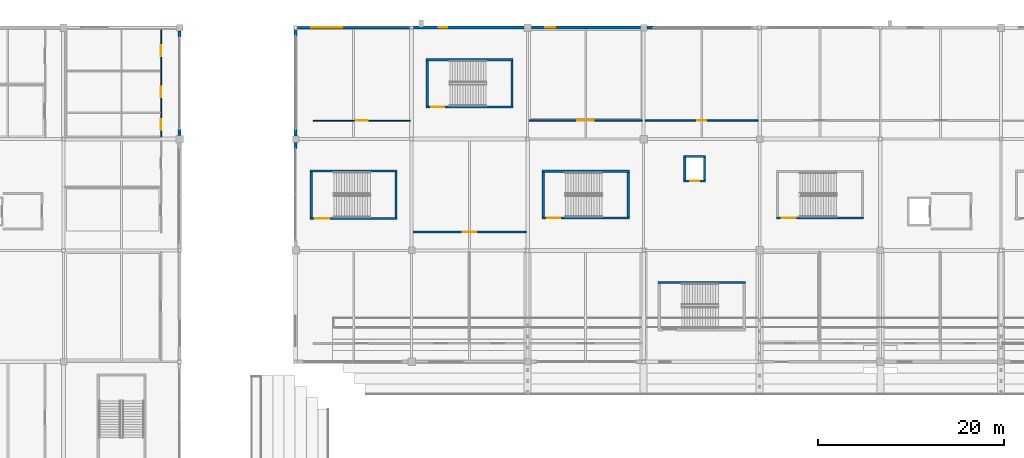
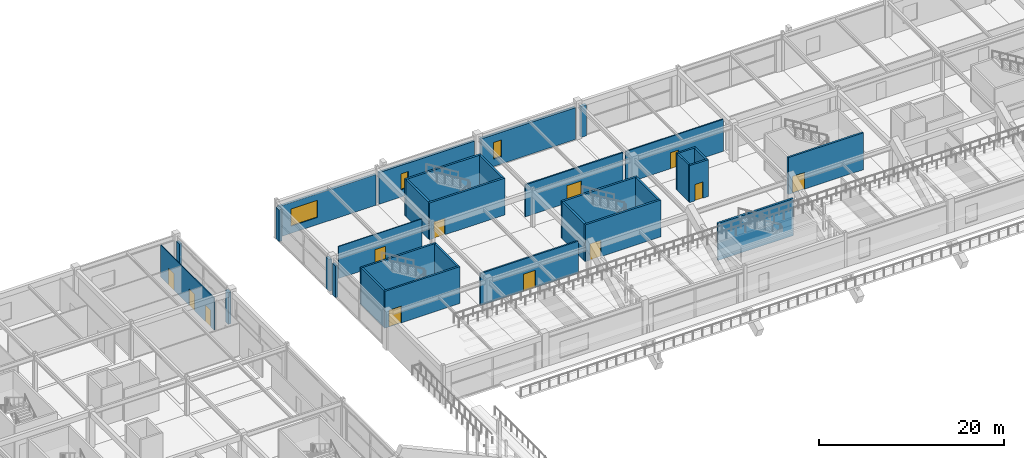
# One storey, part 97 of 128: 32 walls, 12 doors, 3 windows, 15 openings.
"""IFC4 building model written with IfcOpenShell, lengths in metres."""

from ifc_helpers import new_model, si_unit, direction, frame, frame_2d, origin, place, context, subcontext, project, spatial, rectangle, extrude, material, layer, layer_set, type_object, element, fill, save


model = new_model("IFC4")

# Units and contexts
model_context = context("Model", 3, precision=1e-05, world=origin(), true_north=direction((0.0, 1.0)))
body_context = subcontext(model_context, "Body", "Model", "MODEL_VIEW")
ifc_project = project(units=[si_unit("LENGTHUNIT", "METRE"), si_unit("AREAUNIT", "SQUARE_METRE"), si_unit("VOLUMEUNIT", "CUBIC_METRE"), si_unit("PLANEANGLEUNIT", "RADIAN"), si_unit("MASSUNIT", "GRAM", prefix="KILO")], contexts=[model_context])

# Site, building, storey
site_placement = place(None, origin())
site = spatial("IfcSite", under=ifc_project, at=site_placement, CompositionType="ELEMENT")
building_placement = place(site_placement, origin())
building = spatial("IfcBuilding", under=site, at=building_placement, Name="Kazenohara Klinker Stadium", CompositionType="ELEMENT")
storey_placement = place(building_placement, frame((0.0, 0.0, 15.300048828125)))
storey = spatial("IfcBuildingStorey", under=building, at=storey_placement, Name="L03", CompositionType="ELEMENT", Elevation=15.300048828125)

# Wall, opening, door
ifc_material_1 = material(Name="Concrete C40/50", Category="concrete")
ifc_layer_1 = layer(ifc_material_1, 0.22998046875)
ifc_layer_set_1 = layer_set([ifc_layer_1], Name="Concrete C40/50")
wall_type_1 = type_object("IfcWallType", Name="WAL-CORE-230", PredefinedType="SHEAR", material=ifc_layer_set_1)
wall_1_placement = place(storey_placement, frame((50.570068359375, 147.455078125, 0.0), z_axis=(0.0, 0.0, 1.0), x_axis=(1.0, 0.0, 0.0)))
wall_1 = element("IfcWall", 1, at=wall_1_placement, inside=storey, type_object=wall_type_1, Name="Stairwell shear wall ST08 L03 South", PredefinedType="SHEAR", context=body_context, shape_type="SweptSolid", body=[
    extrude(rectangle(XDim=9.35986328125, YDim=0.22998046875, at=frame_2d((4.679931640625, 0.0))), origin(), (0.0, 0.0, 1.0), 4.85986328125),
])
opening_1_placement = place(wall_1_placement, frame((0.550048828125, 0.0, 0.0)))
opening_1 = element("IfcOpeningElement", 2, at=opening_1_placement, cuts=wall_1, Name="Opening SD02", PredefinedType="OPENING", context=body_context, shape_type="SweptSolid", body=[
    extrude(rectangle(XDim=1.5, YDim=2.199951171875, at=frame_2d((0.75, 1.10009765625))), frame((0.0, 0.125, 0.0), z_axis=(0.0, -1.0, 0.0), x_axis=(1.0, 0.0, 0.0)), (0.0, 0.0, 1.0), 0.25),
])
ifc_material_2 = material(Name="Flush painted steel fire door leaf", Category="steel")
door_type_1 = type_object("IfcDoorType", Name="DR-STR-1500x2200", OperationType="NOTDEFINED", PredefinedType="DOOR", material=ifc_material_2)
door_1_placement = place(opening_1_placement, origin())
door_1 = element("IfcDoor", 3, at=door_1_placement, inside=storey, type_object=door_type_1, Name="Escape stairwell fire door ST08-L03", OperationType="SINGLE_SWING_RIGHT", OverallHeight=2.199951171875, OverallWidth=1.5, PredefinedType="DOOR", context=body_context, shape_type="SweptSolid", body=[
    extrude(rectangle(XDim=1.5, YDim=2.199951171875, at=frame_2d((0.75, 1.10009765625))), frame((0.0, 0.02490234375, 0.0), z_axis=(0.0, -1.0, 0.0), x_axis=(1.0, 0.0, 0.0)), (0.0, 0.0, 1.0), 0.050048828125),
])
fill(opening_1, door_1)

# Walls
wall_2_placement = place(storey_placement, frame((50.570068359375, 152.544921875, 0.0), z_axis=(0.0, 0.0, 1.0), x_axis=(1.0, 0.0, 0.0)))
element("IfcWall", 4, at=wall_2_placement, inside=storey, type_object=wall_type_1, Name="Stairwell shear wall ST08 L03 North", PredefinedType="SHEAR", context=body_context, shape_type="SweptSolid", body=[
    extrude(rectangle(XDim=9.35986328125, YDim=0.22998046875, at=frame_2d((4.679931640625, 0.0))), origin(), (0.0, 0.0, 1.0), 4.85986328125),
])
for number, where, z_axis, x_axis, name in (
    (5, (50.68505859375, 147.570068359375, 0.0), (0.0, 0.0, 1.0), (0.0, 1.0, 0.0), "Stairwell shear wall ST08 L03 West"),
    (6, (59.81494140625, 147.570068359375, 0.0), (0.0, 0.0, 1.0), (0.0, 1.0, 0.0), "Stairwell shear wall ST08 L03 East"),
):
    element("IfcWall", number, at=place(storey_placement, frame(where, z_axis=z_axis, x_axis=x_axis)), inside=storey, type_object=wall_type_1, Name=name, PredefinedType="SHEAR", context=body_context, shape_type="SweptSolid", body=[
        extrude(rectangle(XDim=4.85986328125, YDim=0.22998046875, at=frame_2d((2.429931640625, 0.0))), origin(), (0.0, 0.0, 1.0), 4.85986328125),
    ])

# Wall, opening, door
wall_3_placement = place(storey_placement, frame((100.820068359375, 147.485107421875, 0.0), z_axis=(0.0, 0.0, 1.0), x_axis=(1.0, 0.0, 0.0)))
wall_3 = element("IfcWall", 7, at=wall_3_placement, inside=storey, type_object=wall_type_1, Name="Stairwell shear wall ST10 L03 South", PredefinedType="SHEAR", context=body_context, shape_type="SweptSolid", body=[
    extrude(rectangle(XDim=9.35986328125, YDim=0.22998046875, at=frame_2d((4.679931640625, 0.0))), origin(), (0.0, 0.0, 1.0), 4.85986328125),
])
opening_2_placement = place(wall_3_placement, frame((0.550048828125, 0.0, 0.0)))
opening_2 = element("IfcOpeningElement", 8, at=opening_2_placement, cuts=wall_3, Name="Opening SD02", PredefinedType="OPENING", context=body_context, shape_type="SweptSolid", body=[
    extrude(rectangle(XDim=1.5, YDim=2.199951171875, at=frame_2d((0.75, 1.10009765625))), frame((0.0, 0.125, 0.0), z_axis=(0.0, -1.0, 0.0), x_axis=(1.0, 0.0, 0.0)), (0.0, 0.0, 1.0), 0.25),
])
door_2_placement = place(opening_2_placement, origin())
door_2 = element("IfcDoor", 9, at=door_2_placement, inside=storey, type_object=door_type_1, Name="Escape stairwell fire door ST10-L03", OperationType="SINGLE_SWING_RIGHT", OverallHeight=2.199951171875, OverallWidth=1.5, PredefinedType="DOOR", context=body_context, shape_type="SweptSolid", body=[
    extrude(rectangle(XDim=1.5, YDim=2.199951171875, at=frame_2d((0.75, 1.10009765625))), frame((0.0, 0.02490234375, 0.0), z_axis=(0.0, -1.0, 0.0), x_axis=(1.0, 0.0, 0.0)), (0.0, 0.0, 1.0), 0.050048828125),
])
fill(opening_2, door_2)

wall_4_placement = place(storey_placement, frame((90.820068359375, 151.485107421875, 0.0), z_axis=(0.0, 0.0, 1.0), x_axis=(1.0, 0.0, 0.0)))
wall_4 = element("IfcWall", 10, at=wall_4_placement, inside=storey, type_object=wall_type_1, Name="Elevator shaft wall LP04 L03 South", PredefinedType="SHEAR", context=body_context, shape_type="SweptSolid", body=[
    extrude(rectangle(XDim=2.35986328125, YDim=0.22998046875, at=frame_2d((1.179931640625, 0.0))), origin(), (0.0, 0.0, 1.0), 4.85986328125),
])
opening_3_placement = place(wall_4_placement, frame((0.679931640625, 0.0, 0.0)))
opening_3 = element("IfcOpeningElement", 11, at=opening_3_placement, cuts=wall_4, Name="Opening LD02", PredefinedType="OPENING", context=body_context, shape_type="SweptSolid", body=[
    extrude(rectangle(XDim=1.0, YDim=2.14990234375, at=frame_2d((0.5, 1.074951171875))), frame((0.0, 0.125, 0.0), z_axis=(0.0, -1.0, 0.0), x_axis=(1.0, 0.0, 0.0)), (0.0, 0.0, 1.0), 0.25),
])
ifc_material_3 = material(Name="Stainless steel sliding landing door", Category="steel")
door_type_2 = type_object("IfcDoorType", Name="DR-LD02-1000x2150", OperationType="NOTDEFINED", PredefinedType="DOOR", material=ifc_material_3)
door_3_placement = place(opening_3_placement, origin())
door_3 = element("IfcDoor", 12, at=door_3_placement, inside=storey, type_object=door_type_2, Name="Elevator sliding landing door LP04-L03", OperationType="DOUBLE_DOOR_SLIDING", OverallHeight=2.14990234375, OverallWidth=1.0, PredefinedType="DOOR", context=body_context, shape_type="SweptSolid", body=[
    extrude(rectangle(XDim=1.0, YDim=2.14990234375, at=frame_2d((0.5, 1.074951171875))), frame((0.0, 0.02490234375, 0.0), z_axis=(0.0, -1.0, 0.0), x_axis=(1.0, 0.0, 0.0)), (0.0, 0.0, 1.0), 0.050048828125),
])
fill(opening_3, door_3)

# Walls
wall_5_placement = place(storey_placement, frame((90.820068359375, 154.114990234375, 0.0), z_axis=(0.0, 0.0, 1.0), x_axis=(1.0, 0.0, 0.0)))
element("IfcWall", 13, at=wall_5_placement, inside=storey, type_object=wall_type_1, Name="Elevator shaft wall LP04 L03 North", PredefinedType="SHEAR", context=body_context, shape_type="SweptSolid", body=[
    extrude(rectangle(XDim=2.35986328125, YDim=0.22998046875, at=frame_2d((1.179931640625, 0.0))), origin(), (0.0, 0.0, 1.0), 4.85986328125),
])
for number, where, z_axis, x_axis, name in (
    (14, (90.93505859375, 151.60009765625, 0.0), (0.0, 0.0, 1.0), (0.0, 1.0, 0.0), "Elevator shaft wall LP04 L03 West"),
    (15, (93.06494140625, 151.60009765625, 0.0), (0.0, 0.0, 1.0), (0.0, 1.0, 0.0), "Elevator shaft wall LP04 L03 East"),
):
    element("IfcWall", number, at=place(storey_placement, frame(where, z_axis=z_axis, x_axis=x_axis)), inside=storey, type_object=wall_type_1, Name=name, PredefinedType="SHEAR", context=body_context, shape_type="SweptSolid", body=[
        extrude(rectangle(XDim=2.39990234375, YDim=0.22998046875, at=frame_2d((1.199951171875, 0.0))), origin(), (0.0, 0.0, 1.0), 4.85986328125),
    ])

# Wall, opening, door
ifc_layer_2 = layer(ifc_material_1, 0.25)
ifc_layer_set_2 = layer_set([ifc_layer_2], Name="Concrete C40/50")
wall_type_2 = type_object("IfcWallType", Name="WAL-CORE-250", PredefinedType="SHEAR", material=ifc_layer_set_2)
wall_6_placement = place(storey_placement, frame((75.550048828125, 147.485107421875, 0.0), z_axis=(0.0, 0.0, 1.0), x_axis=(1.0, 0.0, 0.0)))
wall_6 = element("IfcWall", 16, at=wall_6_placement, inside=storey, type_object=wall_type_2, Name="Stairwell shear wall ST09 L03 South", PredefinedType="SHEAR", context=body_context, shape_type="SweptSolid", body=[
    extrude(rectangle(XDim=9.39990234375, YDim=0.25, at=frame_2d((4.699951171875, 0.0))), origin(), (0.0, 0.0, 1.0), 4.85986328125),
])
opening_4_placement = place(wall_6_placement, frame((0.550048828125, 0.0, 0.0)))
opening_4 = element("IfcOpeningElement", 17, at=opening_4_placement, cuts=wall_6, Name="Opening SD01", PredefinedType="OPENING", context=body_context, shape_type="SweptSolid", body=[
    extrude(rectangle(XDim=1.39990234375, YDim=2.14990234375, at=frame_2d((0.699951171875, 1.074951171875))), frame((0.0, 0.135009765625, 0.0), z_axis=(0.0, -1.0, 0.0), x_axis=(1.0, 0.0, 0.0)), (0.0, 0.0, 1.0), 0.27001953125),
])
door_type_3 = type_object("IfcDoorType", Name="DR-STR-1400x2150", OperationType="NOTDEFINED", PredefinedType="DOOR", material=ifc_material_2)
door_4_placement = place(opening_4_placement, origin())
door_4 = element("IfcDoor", 18, at=door_4_placement, inside=storey, type_object=door_type_3, Name="Escape stairwell fire door ST09-L03", OperationType="SINGLE_SWING_LEFT", OverallHeight=2.14990234375, OverallWidth=1.39990234375, PredefinedType="DOOR", context=body_context, shape_type="SweptSolid", body=[
    extrude(rectangle(XDim=1.39990234375, YDim=2.14990234375, at=frame_2d((0.699951171875, 1.074951171875))), frame((0.0, 0.02490234375, 0.0), z_axis=(0.0, -1.0, 0.0), x_axis=(1.0, 0.0, 0.0)), (0.0, 0.0, 1.0), 0.050048828125),
])
fill(opening_4, door_4)

# Walls
wall_7_placement = place(storey_placement, frame((75.550048828125, 152.514892578125, 0.0), z_axis=(0.0, 0.0, 1.0), x_axis=(1.0, 0.0, 0.0)))
element("IfcWall", 19, at=wall_7_placement, inside=storey, type_object=wall_type_2, Name="Stairwell shear wall ST09 L03 North", PredefinedType="SHEAR", context=body_context, shape_type="SweptSolid", body=[
    extrude(rectangle(XDim=9.39990234375, YDim=0.25, at=frame_2d((4.699951171875, 0.0))), origin(), (0.0, 0.0, 1.0), 4.85986328125),
])
for number, where, z_axis, x_axis, name in (
    (20, (75.675048828125, 147.610107421875, 0.0), (0.0, 0.0, 1.0), (0.0, 1.0, 0.0), "Stairwell shear wall ST09 L03 West"),
    (21, (84.824951171875, 147.610107421875, 0.0), (0.0, 0.0, 1.0), (0.0, 1.0, 0.0), "Stairwell shear wall ST09 L03 East"),
):
    element("IfcWall", number, at=place(storey_placement, frame(where, z_axis=z_axis, x_axis=x_axis)), inside=storey, type_object=wall_type_2, Name=name, PredefinedType="SHEAR", context=body_context, shape_type="SweptSolid", body=[
        extrude(rectangle(XDim=4.77978515625, YDim=0.25, at=frame_2d((2.389892578125, 0.0))), origin(), (0.0, 0.0, 1.0), 4.85986328125),
    ])

# Wall, opening, door
wall_8_placement = place(storey_placement, frame((63.050048828125, 159.455078125, 0.0), z_axis=(0.0, 0.0, 1.0), x_axis=(1.0, 0.0, 0.0)))
wall_8 = element("IfcWall", 22, at=wall_8_placement, inside=storey, type_object=wall_type_2, Name="Stairwell shear wall ST15 L03 South", PredefinedType="SHEAR", context=body_context, shape_type="SweptSolid", body=[
    extrude(rectangle(XDim=9.39990234375, YDim=0.25, at=frame_2d((4.699951171875, 0.0))), origin(), (0.0, 0.0, 1.0), 4.85986328125),
])
opening_5_placement = place(wall_8_placement, frame((0.550048828125, 0.0, 0.0)))
opening_5 = element("IfcOpeningElement", 23, at=opening_5_placement, cuts=wall_8, Name="Opening SD01", PredefinedType="OPENING", context=body_context, shape_type="SweptSolid", body=[
    extrude(rectangle(XDim=1.39990234375, YDim=2.14990234375, at=frame_2d((0.699951171875, 1.074951171875))), frame((0.0, 0.135009765625, 0.0), z_axis=(0.0, -1.0, 0.0), x_axis=(1.0, 0.0, 0.0)), (0.0, 0.0, 1.0), 0.27001953125),
])
door_5_placement = place(opening_5_placement, origin())
door_5 = element("IfcDoor", 24, at=door_5_placement, inside=storey, type_object=door_type_3, Name="Escape stairwell fire door ST15-L03", OperationType="SINGLE_SWING_RIGHT", OverallHeight=2.14990234375, OverallWidth=1.39990234375, PredefinedType="DOOR", context=body_context, shape_type="SweptSolid", body=[
    extrude(rectangle(XDim=1.39990234375, YDim=2.14990234375, at=frame_2d((0.699951171875, 1.074951171875))), frame((0.0, 0.02490234375, 0.0), z_axis=(0.0, -1.0, 0.0), x_axis=(1.0, 0.0, 0.0)), (0.0, 0.0, 1.0), 0.050048828125),
])
fill(opening_5, door_5)

# Walls
wall_9_placement = place(storey_placement, frame((63.050048828125, 164.544921875, 0.0), z_axis=(0.0, 0.0, 1.0), x_axis=(1.0, 0.0, 0.0)))
element("IfcWall", 25, at=wall_9_placement, inside=storey, type_object=wall_type_2, Name="Stairwell shear wall ST15 L03 North", PredefinedType="SHEAR", context=body_context, shape_type="SweptSolid", body=[
    extrude(rectangle(XDim=9.39990234375, YDim=0.25, at=frame_2d((4.699951171875, 0.0))), origin(), (0.0, 0.0, 1.0), 4.85986328125),
])
for number, where, z_axis, x_axis, name in (
    (26, (63.175048828125, 159.580078125, 0.0), (0.0, 0.0, 1.0), (0.0, 1.0, 0.0), "Stairwell shear wall ST15 L03 West"),
    (27, (72.324951171875, 159.580078125, 0.0), (0.0, 0.0, 1.0), (0.0, 1.0, 0.0), "Stairwell shear wall ST15 L03 East"),
):
    element("IfcWall", number, at=place(storey_placement, frame(where, z_axis=z_axis, x_axis=x_axis)), inside=storey, type_object=wall_type_2, Name=name, PredefinedType="SHEAR", context=body_context, shape_type="SweptSolid", body=[
        extrude(rectangle(XDim=4.83984375, YDim=0.25, at=frame_2d((2.419921875, 0.0))), origin(), (0.0, 0.0, 1.0), 4.85986328125),
    ])
wall_10_placement = place(storey_placement, frame((88.050048828125, 140.544921875, 0.0), z_axis=(0.0, 0.0, 1.0), x_axis=(1.0, 0.0, 0.0)))
element("IfcWall", 28, at=wall_10_placement, inside=storey, type_object=wall_type_2, Name="Stairwell shear wall ST19 L03 North", PredefinedType="SHEAR", context=body_context, shape_type="SweptSolid", body=[
    extrude(rectangle(XDim=9.39990234375, YDim=0.25, at=frame_2d((4.699951171875, 0.0))), origin(), (0.0, 0.0, 1.0), 4.85986328125),
])

# Wall, opening, window
ifc_material_4 = material(Name="Clinker brick masonry", Category="masonry")
ifc_layer_3 = layer(ifc_material_4, 0.280029296875)
ifc_layer_set_3 = layer_set([ifc_layer_3], Name="Clinker brick masonry")
wall_type_3 = type_object("IfcWallType", Name="WAL-EXT-CB280", PredefinedType="SOLIDWALL", material=ifc_layer_set_3)
wall_11_placement = place(storey_placement, frame((49.2041015625, 168.0, 0.0), z_axis=(0.0, 0.0, 1.0), x_axis=(1.0, 0.0, 0.0)))
wall_11 = element("IfcWall", 29, at=wall_11_placement, inside=storey, type_object=wall_type_3, Name="Clinker brick cavity wall EW06 L03 X4-14", PredefinedType="SOLIDWALL", context=body_context, shape_type="SweptSolid", body=[
    extrude(rectangle(XDim=12.116943359375, YDim=0.280029296875, at=frame_2d((6.05859375, 0.0))), origin(), (0.0, 0.0, 1.0), 4.06005859375),
])
opening_6_placement = place(wall_11_placement, frame((1.5, 0.0, 0.949951171875)))
opening_6 = element("IfcOpeningElement", 30, at=opening_6_placement, cuts=wall_11, Name="Opening W34", PredefinedType="OPENING", context=body_context, shape_type="SweptSolid", body=[
    extrude(rectangle(XDim=3.300048828125, YDim=2.25, at=frame_2d((1.64990234375, 1.125))), frame((0.0, 0.14990234375, 0.0), z_axis=(0.0, -1.0, 0.0), x_axis=(1.0, 0.0, 0.0)), (0.0, 0.0, 1.0), 0.300048828125),
])
ifc_material_5 = material(Name="Dark bronze aluminium frame and triple glazing", Category="aluminium")
window_type_1 = type_object("IfcWindowType", Name="WIN-AS-34", PartitioningType="SINGLE_PANEL", PredefinedType="WINDOW", material=ifc_material_5)
window_1_placement = place(opening_6_placement, origin())
window_1 = element("IfcWindow", 31, at=window_1_placement, inside=storey, type_object=window_type_1, Name="Horizontal-mullion ladder window W34 L03 X4-14", OverallHeight=2.25, OverallWidth=3.300048828125, PartitioningType="SINGLE_PANEL", PredefinedType="WINDOW", context=body_context, shape_type="SweptSolid", body=[
    extrude(rectangle(XDim=3.300048828125, YDim=2.25, at=frame_2d((1.64990234375, 1.125))), frame((0.0, 0.030029296875, 0.0), z_axis=(0.0, -1.0, 0.0), x_axis=(1.0, 0.0, 0.0)), (0.0, 0.0, 1.0), 0.06005859375),
])
fill(opening_6, window_1)

ifc_layer_4 = layer(ifc_material_4, 0.31005859375)
ifc_layer_set_4 = layer_set([ifc_layer_4], Name="Clinker brick masonry")
wall_type_4 = type_object("IfcWallType", Name="WAL-EXT-CB310", PredefinedType="SOLIDWALL", material=ifc_layer_set_4)
wall_12_placement = place(storey_placement, frame((61.678955078125, 168.0, 0.0), z_axis=(0.0, 0.0, 1.0), x_axis=(1.0, 0.0, 0.0)))
wall_12 = element("IfcWall", 32, at=wall_12_placement, inside=storey, type_object=wall_type_4, Name="Clinker brick cavity wall EW05 L03 X5-14", PredefinedType="SOLIDWALL", context=body_context, shape_type="SweptSolid", body=[
    extrude(rectangle(XDim=11.9169921875, YDim=0.31005859375, at=frame_2d((5.95849609375, 0.0))), origin(), (0.0, 0.0, 1.0), 4.159912109375),
])
opening_7_placement = place(wall_12_placement, frame((2.75, 0.0, 0.949951171875)))
opening_7 = element("IfcOpeningElement", 33, at=opening_7_placement, cuts=wall_12, Name="Opening W01", PredefinedType="OPENING", context=body_context, shape_type="SweptSolid", body=[
    extrude(rectangle(XDim=0.89990234375, YDim=2.10009765625, at=frame_2d((0.449951171875, 1.050048828125))), frame((0.0, 0.1650390625, 0.0), z_axis=(0.0, -1.0, 0.0), x_axis=(1.0, 0.0, 0.0)), (0.0, 0.0, 1.0), 0.330078125),
])
window_type_2 = type_object("IfcWindowType", Name="WIN-AS-01", PartitioningType="SINGLE_PANEL", PredefinedType="WINDOW", material=ifc_material_5)
window_2_placement = place(opening_7_placement, origin())
window_2 = element("IfcWindow", 34, at=window_2_placement, inside=storey, type_object=window_type_2, Name="Horizontal-mullion ladder window W01 L03 X5-14", OverallHeight=2.10009765625, OverallWidth=0.89990234375, PartitioningType="SINGLE_PANEL", PredefinedType="WINDOW", context=body_context, shape_type="SweptSolid", body=[
    extrude(rectangle(XDim=0.89990234375, YDim=2.10009765625, at=frame_2d((0.449951171875, 1.050048828125))), frame((0.0, 0.030029296875, 0.0), z_axis=(0.0, -1.0, 0.0), x_axis=(1.0, 0.0, 0.0)), (0.0, 0.0, 1.0), 0.06005859375),
])
fill(opening_7, window_2)

# Walls
ifc_layer_5 = layer(ifc_material_4, 0.340087890625)
ifc_layer_set_5 = layer_set([ifc_layer_5], Name="Clinker brick masonry")
wall_type_5 = type_object("IfcWallType", Name="WAL-EXT-CB340", PredefinedType="SOLIDWALL", material=ifc_layer_set_5)
for number, where, z_axis, x_axis, name in (
    (35, (36.5, 156.404052734375, 0.0), (0.0, 0.0, 1.0), (0.0, 1.0, 0.0), "Clinker brick curtain-wall jamb pier L03 Y3-13 A"),
    (36, (36.5, 166.99609375, 0.0), (0.0, 0.0, 1.0), (0.0, 1.0, 0.0), "Clinker brick curtain-wall jamb pier L03 Y3-13 B"),
    (37, (49.0, 154.99609375, 0.0), (0.0, 0.0, 1.0), (0.0, 1.0, 0.0), "Clinker brick curtain-wall jamb pier L03 Y4-12 B"),
):
    element("IfcWall", number, at=place(storey_placement, frame(where, z_axis=z_axis, x_axis=x_axis)), inside=storey, type_object=wall_type_5, Name=name, PredefinedType="SOLIDWALL", context=body_context, shape_type="SweptSolid", body=[
        extrude(rectangle(XDim=0.64990234375, YDim=0.340087890625, at=frame_2d((0.324951171875, 0.0))), origin(), (0.0, 0.0, 1.0), 4.159912109375),
    ])
for number, where, z_axis, x_axis, name in (
    (38, (49.0, 156.35400390625, 0.0), (0.0, 0.0, 1.0), (0.0, 1.0, 0.0), "Clinker brick curtain-wall jamb pier L03 Y4-13 A"),
    (39, (49.0, 167.14599609375, 0.0), (0.0, 0.0, 1.0), (0.0, 1.0, 0.0), "Clinker brick curtain-wall jamb pier L03 Y4-13 B"),
):
    element("IfcWall", number, at=place(storey_placement, frame(where, z_axis=z_axis, x_axis=x_axis)), inside=storey, type_object=wall_type_5, Name=name, PredefinedType="SOLIDWALL", context=body_context, shape_type="SweptSolid", body=[
        extrude(rectangle(XDim=0.64990234375, YDim=0.340087890625, at=frame_2d((0.324951171875, 0.0))), origin(), (0.0, 0.0, 1.0), 4.171875),
    ])

# Wall, opening, window
wall_13_placement = place(storey_placement, frame((74.404052734375, 168.0, 0.0), z_axis=(0.0, 0.0, 1.0), x_axis=(1.0, 0.0, 0.0)))
wall_13 = element("IfcWall", 40, at=wall_13_placement, inside=storey, type_object=wall_type_5, Name="Clinker brick cavity wall EW04 L03 X6-14", PredefinedType="SOLIDWALL", context=body_context, shape_type="SweptSolid", body=[
    extrude(rectangle(XDim=11.741943359375, YDim=0.340087890625, at=frame_2d((5.87109375, 0.0))), origin(), (0.0, 0.0, 1.0), 4.171875),
])
opening_8_placement = place(wall_13_placement, frame((1.5, 0.0, 0.949951171875)))
opening_8 = element("IfcOpeningElement", 41, at=opening_8_placement, cuts=wall_13, Name="Opening W04", PredefinedType="OPENING", context=body_context, shape_type="SweptSolid", body=[
    extrude(rectangle(XDim=1.050048828125, YDim=2.199951171875, at=frame_2d((0.52490234375, 1.10009765625))), frame((0.0, 0.18017578125, 0.0), z_axis=(0.0, -1.0, 0.0), x_axis=(1.0, 0.0, 0.0)), (0.0, 0.0, 1.0), 0.360107421875),
])
window_type_3 = type_object("IfcWindowType", Name="WIN-AS-04", PartitioningType="SINGLE_PANEL", PredefinedType="WINDOW", material=ifc_material_5)
window_3_placement = place(opening_8_placement, origin())
window_3 = element("IfcWindow", 42, at=window_3_placement, inside=storey, type_object=window_type_3, Name="Horizontal-mullion ladder window W04 L03 X6-14", OverallHeight=2.199951171875, OverallWidth=1.050048828125, PartitioningType="SINGLE_PANEL", PredefinedType="WINDOW", context=body_context, shape_type="SweptSolid", body=[
    extrude(rectangle(XDim=1.050048828125, YDim=2.199951171875, at=frame_2d((0.52490234375, 1.10009765625))), frame((0.0, 0.030029296875, 0.0), z_axis=(0.0, -1.0, 0.0), x_axis=(1.0, 0.0, 0.0)), (0.0, 0.0, 1.0), 0.06005859375),
])
fill(opening_8, window_3)

# Wall
wall_14_placement = place(storey_placement, frame((86.85400390625, 168.0, 0.0), z_axis=(0.0, 0.0, 1.0), x_axis=(1.0, 0.0, 0.0)))
element("IfcWall", 43, at=wall_14_placement, inside=storey, type_object=wall_type_5, Name="Clinker brick curtain-wall jamb pier L03 X7-14 A", PredefinedType="SOLIDWALL", context=body_context, shape_type="SweptSolid", body=[
    extrude(rectangle(XDim=0.64990234375, YDim=0.340087890625, at=frame_2d((0.324951171875, 0.0))), origin(), (0.0, 0.0, 1.0), 4.06005859375),
])

# Wall, openings, doors
ifc_material_6 = material(Name="Fire-rated gypsum board on acoustic studs", Category="gypsum")
ifc_layer_6 = layer(ifc_material_6, 0.110107421875)
ifc_layer_set_6 = layer_set([ifc_layer_6], Name="Fire-rated gypsum board on acoustic studs")
wall_type_6 = type_object("IfcWallType", Name="WAL-INT-P110", PredefinedType="PARTITIONING", material=ifc_layer_set_6)
wall_15_placement = place(storey_placement, frame((34.510009765625, 156.239990234375, 0.0), z_axis=(0.0, 0.0, 1.0), x_axis=(0.0, 1.0, 0.0)))
wall_15 = element("IfcWall", 44, at=wall_15_placement, inside=storey, type_object=wall_type_6, Name="Interior partition wall PT01 SPC-L03-02-13-1-3", PredefinedType="PARTITIONING", context=body_context, shape_type="SweptSolid", body=[
    extrude(rectangle(XDim=11.552978515625, YDim=0.110107421875, at=frame_2d((5.7763671875, 0.0))), origin(), (0.0, 0.0, 1.0), 4.219970703125),
])
opening_9_placement = place(wall_15_placement, frame((0.7451171875, 0.0, 0.0)))
opening_9 = element("IfcOpeningElement", 45, at=opening_9_placement, cuts=wall_15, Name="Opening ID09", PredefinedType="OPENING", context=body_context, shape_type="SweptSolid", body=[
    extrude(rectangle(XDim=1.1201171875, YDim=2.179931640625, at=frame_2d((0.56005859375, 1.08984375))), frame((0.0, 0.06494140625, 0.0), z_axis=(0.0, -1.0, 0.0), x_axis=(1.0, 0.0, 0.0)), (0.0, 0.0, 1.0), 0.130126953125),
])
opening_10_placement = place(wall_15_placement, frame((4.2626953125, 0.0, 0.0)))
opening_10 = element("IfcOpeningElement", 46, at=opening_10_placement, cuts=wall_15, Name="Opening ID10", PredefinedType="OPENING", context=body_context, shape_type="SweptSolid", body=[
    extrude(rectangle(XDim=1.14990234375, YDim=2.14990234375, at=frame_2d((0.574951171875, 1.074951171875))), frame((0.0, 0.06494140625, 0.0), z_axis=(0.0, -1.0, 0.0), x_axis=(1.0, 0.0, 0.0)), (0.0, 0.0, 1.0), 0.130126953125),
])
opening_11_placement = place(wall_15_placement, frame((8.70263671875, 0.0, 0.0)))
opening_11 = element("IfcOpeningElement", 47, at=opening_11_placement, cuts=wall_15, Name="Opening ID11", PredefinedType="OPENING", context=body_context, shape_type="SweptSolid", body=[
    extrude(rectangle(XDim=1.179931640625, YDim=2.199951171875, at=frame_2d((0.58984375, 1.10009765625))), frame((0.0, 0.06494140625, 0.0), z_axis=(0.0, -1.0, 0.0), x_axis=(1.0, 0.0, 0.0)), (0.0, 0.0, 1.0), 0.130126953125),
])
ifc_material_7 = material(Name="Solid-core Hokkaido oak fire door", Category="wood")
door_type_4 = type_object("IfcDoorType", Name="DR-INT-09", OperationType="NOTDEFINED", PredefinedType="DOOR", material=ifc_material_7)
door_6_placement = place(opening_9_placement, origin())
door_6 = element("IfcDoor", 48, at=door_6_placement, inside=storey, type_object=door_type_4, Name="Interior door ID09 Accessible Water Closet Restroom L03-0213A", OperationType="SINGLE_SWING_RIGHT", OverallHeight=2.179931640625, OverallWidth=1.1201171875, PredefinedType="DOOR", context=body_context, shape_type="SweptSolid", body=[
    extrude(rectangle(XDim=1.1201171875, YDim=2.179931640625, at=frame_2d((0.56005859375, 1.08984375))), frame((0.0, 0.02490234375, 0.0), z_axis=(0.0, -1.0, 0.0), x_axis=(1.0, 0.0, 0.0)), (0.0, 0.0, 1.0), 0.050048828125),
])
fill(opening_9, door_6)
door_type_5 = type_object("IfcDoorType", Name="DR-INT-10", OperationType="NOTDEFINED", PredefinedType="DOOR", material=ifc_material_7)
door_7_placement = place(opening_10_placement, origin())
door_7 = element("IfcDoor", 49, at=door_7_placement, inside=storey, type_object=door_type_5, Name="Interior door ID10 Water Closet Restroom Male L03-0213B", OperationType="SINGLE_SWING_LEFT", OverallHeight=2.14990234375, OverallWidth=1.14990234375, PredefinedType="DOOR", context=body_context, shape_type="SweptSolid", body=[
    extrude(rectangle(XDim=1.14990234375, YDim=2.14990234375, at=frame_2d((0.574951171875, 1.074951171875))), frame((0.0, 0.02490234375, 0.0), z_axis=(0.0, -1.0, 0.0), x_axis=(1.0, 0.0, 0.0)), (0.0, 0.0, 1.0), 0.050048828125),
])
fill(opening_10, door_7)
door_type_6 = type_object("IfcDoorType", Name="DR-INT-11", OperationType="NOTDEFINED", PredefinedType="DOOR", material=ifc_material_7)
door_8_placement = place(opening_11_placement, origin())
door_8 = element("IfcDoor", 50, at=door_8_placement, inside=storey, type_object=door_type_6, Name="Interior door ID11 Water Closet Restroom Female L03-0213C", OperationType="SINGLE_SWING_RIGHT", OverallHeight=2.199951171875, OverallWidth=1.179931640625, PredefinedType="DOOR", context=body_context, shape_type="SweptSolid", body=[
    extrude(rectangle(XDim=1.179931640625, YDim=2.199951171875, at=frame_2d((0.58984375, 1.10009765625))), frame((0.0, 0.02490234375, 0.0), z_axis=(0.0, -1.0, 0.0), x_axis=(1.0, 0.0, 0.0)), (0.0, 0.0, 1.0), 0.050048828125),
])
fill(opening_11, door_8)

# Wall, opening, door
wall_16_placement = place(storey_placement, frame((50.919921875, 157.989990234375, 0.0), z_axis=(0.0, 0.0, 1.0), x_axis=(1.0, 0.0, 0.0)))
wall_16 = element("IfcWall", 51, at=wall_16_placement, inside=storey, type_object=wall_type_6, Name="Interior partition wall PT01 SPC-L03-04-13-1-1", PredefinedType="PARTITIONING", context=body_context, shape_type="SweptSolid", body=[
    extrude(rectangle(XDim=10.420166015625, YDim=0.110107421875, at=frame_2d((5.2099609375, 0.0))), origin(), (0.0, 0.0, 1.0), 4.219970703125),
])
opening_12_placement = place(wall_16_placement, frame((4.544921875, 0.0, 0.0)))
opening_12 = element("IfcOpeningElement", 52, at=opening_12_placement, cuts=wall_16, Name="Opening ID16", PredefinedType="OPENING", context=body_context, shape_type="SweptSolid", body=[
    extrude(rectangle(XDim=1.330078125, YDim=2.219970703125, at=frame_2d((0.6650390625, 1.10986328125))), frame((0.0, 0.06494140625, 0.0), z_axis=(0.0, -1.0, 0.0), x_axis=(1.0, 0.0, 0.0)), (0.0, 0.0, 1.0), 0.130126953125),
])
door_type_7 = type_object("IfcDoorType", Name="DR-INT-16", OperationType="NOTDEFINED", PredefinedType="DOOR", material=ifc_material_7)
door_9_placement = place(opening_12_placement, origin())
door_9 = element("IfcDoor", 53, at=door_9_placement, inside=storey, type_object=door_type_7, Name="Interior door ID16 Crowd Safety Monitoring Control Studio L03-0413A", OperationType="SINGLE_SWING_LEFT", OverallHeight=2.219970703125, OverallWidth=1.330078125, PredefinedType="DOOR", context=body_context, shape_type="SweptSolid", body=[
    extrude(rectangle(XDim=1.330078125, YDim=2.219970703125, at=frame_2d((0.6650390625, 1.10986328125))), frame((0.0, 0.02490234375, 0.0), z_axis=(0.0, -1.0, 0.0), x_axis=(1.0, 0.0, 0.0)), (0.0, 0.0, 1.0), 0.050048828125),
])
fill(opening_12, door_9)

ifc_layer_7 = layer(ifc_material_6, 0.14990234375)
ifc_layer_set_7 = layer_set([ifc_layer_7], Name="Fire-rated gypsum board on acoustic studs")
wall_type_7 = type_object("IfcWallType", Name="WAL-INT-P150", PredefinedType="PARTITIONING", material=ifc_layer_set_7)
wall_17_placement = place(storey_placement, frame((86.659912109375, 157.989990234375, 0.0), z_axis=(0.0, 0.0, 1.0), x_axis=(1.0, 0.0, 0.0)))
wall_17 = element("IfcWall", 54, at=wall_17_placement, inside=storey, type_object=wall_type_7, Name="Interior partition wall PT04 SPC-L03-07-13-1-1", PredefinedType="PARTITIONING", context=body_context, shape_type="SweptSolid", body=[
    extrude(rectangle(XDim=12.18017578125, YDim=0.14990234375, at=frame_2d((6.090087890625, 0.0))), origin(), (0.0, 0.0, 1.0), 4.219970703125),
])
opening_13_placement = place(wall_17_placement, frame((5.614990234375, 0.0, 0.0)))
opening_13 = element("IfcOpeningElement", 55, at=opening_13_placement, cuts=wall_17, Name="Opening ID03", PredefinedType="OPENING", context=body_context, shape_type="SweptSolid", body=[
    extrude(rectangle(XDim=0.949951171875, YDim=2.1201171875, at=frame_2d((0.47509765625, 1.06005859375))), frame((0.0, 0.0849609375, 0.0), z_axis=(0.0, -1.0, 0.0), x_axis=(1.0, 0.0, 0.0)), (0.0, 0.0, 1.0), 0.169921875),
])
door_type_8 = type_object("IfcDoorType", Name="DR-INT-03", OperationType="NOTDEFINED", PredefinedType="DOOR", material=ifc_material_7)
door_10_placement = place(opening_13_placement, origin())
door_10 = element("IfcDoor", 56, at=door_10_placement, inside=storey, type_object=door_type_8, Name="Interior door ID03 Upper Concourse Supporter Dining Pavilion L03-0713A", OperationType="SINGLE_SWING_RIGHT", OverallHeight=2.1201171875, OverallWidth=0.949951171875, PredefinedType="DOOR", context=body_context, shape_type="SweptSolid", body=[
    extrude(rectangle(XDim=0.949951171875, YDim=2.1201171875, at=frame_2d((0.47509765625, 1.06005859375))), frame((0.0, 0.02490234375, 0.0), z_axis=(0.0, -1.0, 0.0), x_axis=(1.0, 0.0, 0.0)), (0.0, 0.0, 1.0), 0.050048828125),
])
fill(opening_13, door_10)

ifc_layer_8 = layer(ifc_material_6, 0.169921875)
ifc_layer_set_8 = layer_set([ifc_layer_8], Name="Fire-rated gypsum board on acoustic studs")
wall_type_8 = type_object("IfcWallType", Name="WAL-INT-P170", PredefinedType="PARTITIONING", material=ifc_layer_set_8)
wall_18_placement = place(storey_placement, frame((74.159912109375, 157.989990234375, 0.0), z_axis=(0.0, 0.0, 1.0), x_axis=(1.0, 0.0, 0.0)))
wall_18 = element("IfcWall", 57, at=wall_18_placement, inside=storey, type_object=wall_type_8, Name="Interior partition wall PT05 SPC-L03-06-13-1-1", PredefinedType="PARTITIONING", context=body_context, shape_type="SweptSolid", body=[
    extrude(rectangle(XDim=12.18017578125, YDim=0.169921875, at=frame_2d((6.090087890625, 0.0))), origin(), (0.0, 0.0, 1.0), 4.219970703125),
])
opening_14_placement = place(wall_18_placement, frame((5.2099609375, 0.0, 0.0)))
opening_14 = element("IfcOpeningElement", 58, at=opening_14_placement, cuts=wall_18, Name="Opening ID26", PredefinedType="OPENING", context=body_context, shape_type="SweptSolid", body=[
    extrude(rectangle(XDim=1.760009765625, YDim=2.300048828125, at=frame_2d((0.8798828125, 1.14990234375))), frame((0.0, 0.094970703125, 0.0), z_axis=(0.0, -1.0, 0.0), x_axis=(1.0, 0.0, 0.0)), (0.0, 0.0, 1.0), 0.18994140625),
])
ifc_material_8 = material(Name="Painted steel plant fire door", Category="steel")
door_type_9 = type_object("IfcDoorType", Name="DR-INT-26", OperationType="NOTDEFINED", PredefinedType="DOOR", material=ifc_material_8)
door_11_placement = place(opening_14_placement, origin())
door_11 = element("IfcDoor", 59, at=door_11_placement, inside=storey, type_object=door_type_9, Name="Interior door ID26 Upper Concourse Hot Beverage Bistro L03-0613A", OperationType="SINGLE_SWING_LEFT", OverallHeight=2.300048828125, OverallWidth=1.760009765625, PredefinedType="DOOR", context=body_context, shape_type="SweptSolid", body=[
    extrude(rectangle(XDim=1.760009765625, YDim=2.300048828125, at=frame_2d((0.8798828125, 1.14990234375))), frame((0.0, 0.02490234375, 0.0), z_axis=(0.0, -1.0, 0.0), x_axis=(1.0, 0.0, 0.0)), (0.0, 0.0, 1.0), 0.050048828125),
])
fill(opening_14, door_11)

ifc_layer_9 = layer(ifc_material_6, 0.18994140625)
ifc_layer_set_9 = layer_set([ifc_layer_9], Name="Fire-rated gypsum board on acoustic studs")
wall_type_9 = type_object("IfcWallType", Name="WAL-INT-P190", PredefinedType="PARTITIONING", material=ifc_layer_set_9)
wall_19_placement = place(storey_placement, frame((61.659912109375, 145.989990234375, 0.0), z_axis=(0.0, 0.0, 1.0), x_axis=(1.0, 0.0, 0.0)))
wall_19 = element("IfcWall", 60, at=wall_19_placement, inside=storey, type_object=wall_type_9, Name="Interior partition wall PT06 SPC-L03-05-12-1-1", PredefinedType="PARTITIONING", context=body_context, shape_type="SweptSolid", body=[
    extrude(rectangle(XDim=12.18017578125, YDim=0.18994140625, at=frame_2d((6.090087890625, 0.0))), origin(), (0.0, 0.0, 1.0), 4.219970703125),
])
opening_15_placement = place(wall_19_placement, frame((5.3701171875, 0.0, 0.0)))
opening_15 = element("IfcOpeningElement", 61, at=opening_15_placement, cuts=wall_19, Name="Opening ID19", PredefinedType="OPENING", context=body_context, shape_type="SweptSolid", body=[
    extrude(rectangle(XDim=1.43994140625, YDim=2.260009765625, at=frame_2d((0.719970703125, 1.1298828125))), frame((0.0, 0.10498046875, 0.0), z_axis=(0.0, -1.0, 0.0), x_axis=(1.0, 0.0, 0.0)), (0.0, 0.0, 1.0), 0.2099609375),
])
door_type_10 = type_object("IfcDoorType", Name="DR-INT-19", OperationType="NOTDEFINED", PredefinedType="DOOR", material=ifc_material_8)
door_12_placement = place(opening_15_placement, origin())
door_12 = element("IfcDoor", 62, at=door_12_placement, inside=storey, type_object=door_type_10, Name="Interior door ID19 Upper Stand First-Aid Medical Clinic L03-0512A", OperationType="SINGLE_SWING_RIGHT", OverallHeight=2.260009765625, OverallWidth=1.43994140625, PredefinedType="DOOR", context=body_context, shape_type="SweptSolid", body=[
    extrude(rectangle(XDim=1.43994140625, YDim=2.260009765625, at=frame_2d((0.719970703125, 1.1298828125))), frame((0.0, 0.02490234375, 0.0), z_axis=(0.0, -1.0, 0.0), x_axis=(1.0, 0.0, 0.0)), (0.0, 0.0, 1.0), 0.050048828125),
])
fill(opening_15, door_12)

save(model, "model.ifc")
